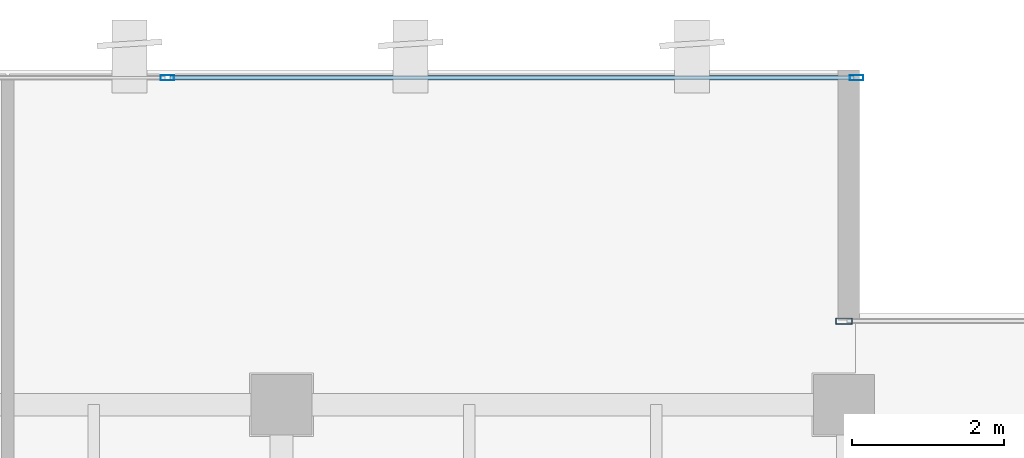
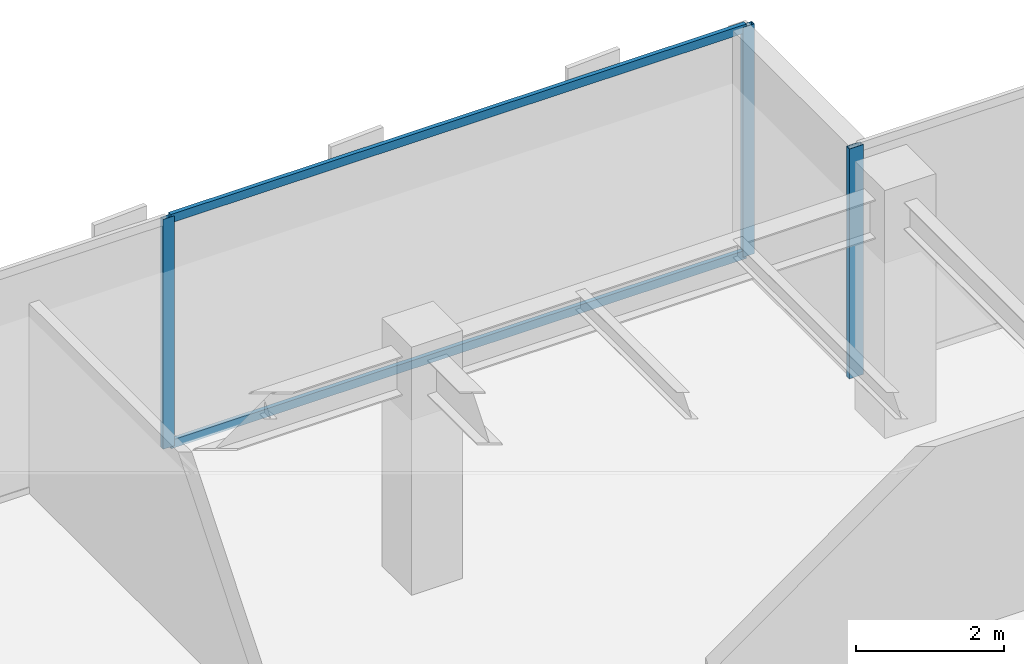
# One storey, part 21 of 35: 5 members, 2 elements without a shape of their own.
"""IFC4 building model written with IfcOpenShell, lengths in metres."""

from ifc_helpers import new_model, si_unit, direction, frame, origin, origin_2d, place, context, subcontext, project, spatial, hollow_rectangle, extrude, source, transform, mapped, material, layer, layer_set, material_profile, profile_set, type_object, type_shapes, element, aggregate, save


model = new_model("IFC4")

# Units and contexts
model_context = context("Model", 3, precision=1e-05, world=origin(), true_north=direction((0.0, 1.0)))
body_context = subcontext(model_context, "Body", "Model", "MODEL_VIEW")
ifc_project = project(units=[si_unit("LENGTHUNIT", "METRE"), si_unit("AREAUNIT", "SQUARE_METRE"), si_unit("VOLUMEUNIT", "CUBIC_METRE"), si_unit("PLANEANGLEUNIT", "RADIAN"), si_unit("MASSUNIT", "GRAM", prefix="KILO")], contexts=[model_context])

# Site, building, storey
site_placement = place(None, origin())
site = spatial("IfcSite", under=ifc_project, at=site_placement, CompositionType="ELEMENT")
building_placement = place(site_placement, origin())
building = spatial("IfcBuilding", under=site, at=building_placement, Name="Haelvirn Gate Laboratories", CompositionType="ELEMENT")
storey_placement = place(building_placement, frame((0.0, 0.0, 201.39990234375)))
storey = spatial("IfcBuildingStorey", under=building, at=storey_placement, Name="L48", CompositionType="ELEMENT", Elevation=201.39990234375)

# Curtain wall, members
ifc_material_1 = material(Name="Anodised bronze unitised aluminium & triple low-E glass", Category="aluminium")
ifc_layer_1 = layer(ifc_material_1, 0.176025390625, Name="CW-SYS-4")
ifc_layer_set_1 = layer_set([ifc_layer_1], Name="Anodised bronze unitised aluminium & triple low-E glass")
curtain_wall_type_1 = type_object("IfcCurtainWallType", Name="CW-SYS-4", PredefinedType="NOTDEFINED", material=ifc_layer_set_1)
curtain_wall_1_placement = place(storey_placement, origin())
curtain_wall_1 = element("IfcCurtainWall", 1, at=curtain_wall_1_placement, inside=storey, type_object=curtain_wall_type_1, Name="L48 Unitised Curtain Wall CW-L48-P0-E10-1", PredefinedType="NOTDEFINED")
ifc_material_2 = material(Name="Extruded aluminium 6063-T6 (anodised bronze)", Category="aluminium")
ifc_material_profile_1 = material_profile(ifc_material_2, hollow_rectangle(XDim=0.06494140625, YDim=0.139892578125, WallThickness=0.00390625, at=origin_2d()), Name="CWT-140x65x4")
ifc_profile_set_1 = profile_set([ifc_material_profile_1], Name="Extruded aluminium 6063-T6 (anodised bronze)")
member_type_1 = type_object("IfcMemberType", Name="CWT-T140", PredefinedType="USERDEFINED", material=ifc_profile_set_1)
shared_shape_1 = source(origin(), body_context, "Body", "SweptSolid", [
    extrude(hollow_rectangle(XDim=0.06494140625, YDim=0.139892578125, WallThickness=0.00390625, at=origin_2d()), origin(), (0.0, 0.0, 1.0), 8.9951171875),
])
type_shapes(member_type_1, [shared_shape_1])
member_1_placement = place(storey_placement, frame((58.534912109375, 45.89990234375, 0.03271484375), z_axis=(1.0, 0.0, 0.0), x_axis=(0.0, 1.0, 0.0)))
member_1 = element("IfcMember", 2, at=member_1_placement, type_object=member_type_1, Name="CW4 transom 2.1", ObjectType="TRANSOM", PredefinedType="USERDEFINED", context=body_context, shape_type="MappedRepresentation", body=[
    mapped(shared_shape_1, transform((0.0, 0.0, 0.0), scale=1.0)),
])
member_2_placement = place(storey_placement, frame((58.534912109375, 45.89990234375, 3.767578125), z_axis=(1.0, 0.0, 0.0), x_axis=(0.0, 1.0, 0.0)))
member_2 = element("IfcMember", 3, at=member_2_placement, type_object=member_type_1, Name="CW4 transom 2.2", ObjectType="TRANSOM", PredefinedType="USERDEFINED", context=body_context, shape_type="MappedRepresentation", body=[
    mapped(shared_shape_1, transform((0.0, 0.0, 0.0), scale=1.0)),
])
ifc_material_profile_2 = material_profile(ifc_material_2, hollow_rectangle(XDim=0.070068359375, YDim=0.179931640625, WallThickness=0.0048828125, at=origin_2d()), Name="CWM-180x70x5")
ifc_profile_set_2 = profile_set([ifc_material_profile_2], Name="Extruded aluminium 6063-T6 (anodised bronze)")
member_type_2 = type_object("IfcMemberType", Name="CWM-T180", PredefinedType="MULLION", material=ifc_profile_set_2)
shared_shape_2 = source(origin(), body_context, "Body", "SweptSolid", [
    extrude(hollow_rectangle(XDim=0.070068359375, YDim=0.179931640625, WallThickness=0.0048828125, at=origin_2d()), origin(), (0.0, 0.0, 1.0), 3.800048828125),
])
type_shapes(member_type_2, [shared_shape_2])
member_3_placement = place(storey_placement, frame((58.5, 45.89990234375, 0.0), z_axis=(0.0, 0.0, 1.0), x_axis=(0.0, 1.0, 0.0)))
member_3 = element("IfcMember", 4, at=member_3_placement, type_object=member_type_2, Name="CW4 mullion 2", PredefinedType="MULLION", context=body_context, shape_type="MappedRepresentation", body=[
    mapped(shared_shape_2, transform((0.0, 0.0, 0.0), scale=1.0)),
])
member_4_placement = place(storey_placement, frame((67.56494140625, 45.89990234375, 0.0), z_axis=(0.0, 0.0, 1.0), x_axis=(0.0, 1.0, 0.0)))
member_4 = element("IfcMember", 5, at=member_4_placement, type_object=member_type_2, Name="CW4 mullion 3", PredefinedType="MULLION", context=body_context, shape_type="MappedRepresentation", body=[
    mapped(shared_shape_2, transform((0.0, 0.0, 0.0), scale=1.0)),
])
aggregate(curtain_wall_1, [member_3, member_4, member_1, member_2])

# Curtain wall, member
ifc_layer_2 = layer(ifc_material_1, 0.181884765625, Name="CW-SYS-5")
ifc_layer_set_2 = layer_set([ifc_layer_2], Name="Anodised bronze unitised aluminium & triple low-E glass")
curtain_wall_type_2 = type_object("IfcCurtainWallType", Name="CW-SYS-5", PredefinedType="NOTDEFINED", material=ifc_layer_set_2)
curtain_wall_2_placement = place(storey_placement, origin())
curtain_wall_2 = element("IfcCurtainWall", 6, at=curtain_wall_2_placement, inside=storey, type_object=curtain_wall_type_2, Name="L48 Unitised Curtain Wall CW-L48-P0-E08-1", PredefinedType="NOTDEFINED")
ifc_material_profile_3 = material_profile(ifc_material_2, hollow_rectangle(XDim=0.080078125, YDim=0.219970703125, WallThickness=0.006103515625, at=origin_2d()), Name="CWM-220x80x6")
ifc_profile_set_3 = profile_set([ifc_material_profile_3], Name="Extruded aluminium 6063-T6 (anodised bronze)")
member_type_3 = type_object("IfcMemberType", Name="CWM-T220", PredefinedType="MULLION", material=ifc_profile_set_3)
shared_shape_3 = source(origin(), body_context, "Body", "SweptSolid", [
    extrude(hollow_rectangle(XDim=0.080078125, YDim=0.219970703125, WallThickness=0.006103515625, at=origin_2d()), origin(), (0.0, 0.0, 1.0), 3.800048828125),
])
type_shapes(member_type_3, [shared_shape_3])
member_5_placement = place(storey_placement, frame((67.39990234375, 42.699951171875, 0.0), z_axis=(0.0, 0.0, 1.0), x_axis=(0.0, 1.0, 0.0)))
member_5 = element("IfcMember", 7, at=member_5_placement, type_object=member_type_3, Name="CW5 mullion 1", PredefinedType="MULLION", context=body_context, shape_type="MappedRepresentation", body=[
    mapped(shared_shape_3, transform((0.0, 0.0, 0.0), scale=1.0)),
])
aggregate(curtain_wall_2, [member_5])

save(model, "model.ifc")
